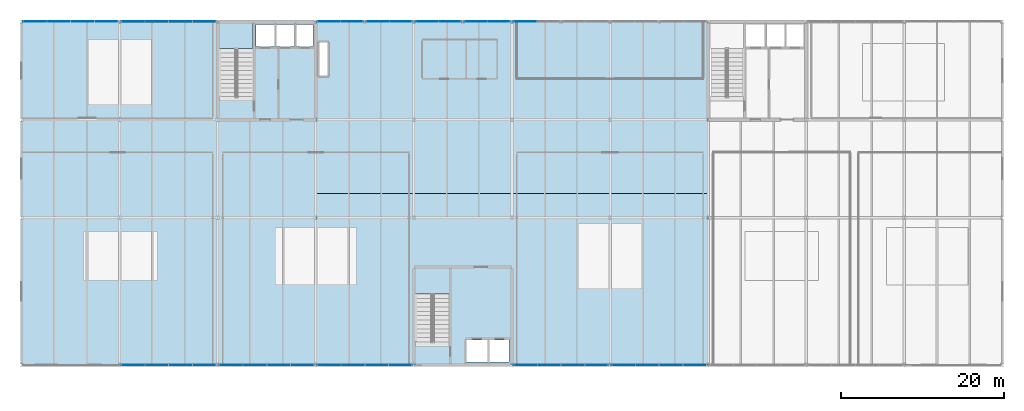
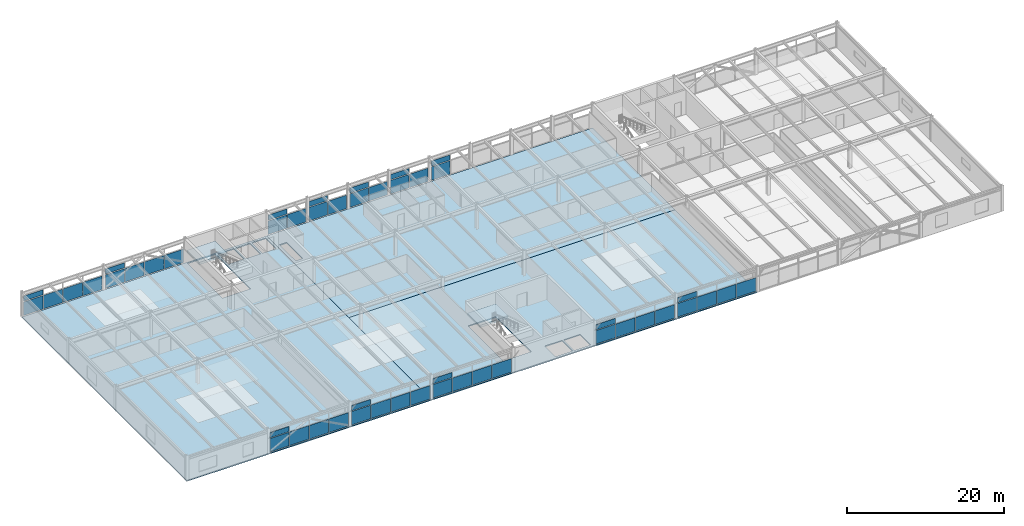
# One storey, part 42 of 51: 49 plates, 5 slabs, 14 elements without a shape of their own.
"""IFC4 building model written with IfcOpenShell, lengths in metres."""

from ifc_helpers import new_model, si_unit, direction, frame, origin, origin_2d, place, context, subcontext, project, spatial, polyline, rectangle, outline, extrude, material, layer, layer_set, type_object, element, aggregate, save


model = new_model("IFC4")

# Units and contexts
model_context = context("Model", 3, precision=1e-05, world=origin(), true_north=direction((0.0, 1.0)))
body_context = subcontext(model_context, "Body", "Model", "MODEL_VIEW")
ifc_project = project(units=[si_unit("LENGTHUNIT", "METRE"), si_unit("AREAUNIT", "SQUARE_METRE"), si_unit("VOLUMEUNIT", "CUBIC_METRE"), si_unit("PLANEANGLEUNIT", "RADIAN"), si_unit("MASSUNIT", "GRAM", prefix="KILO")], contexts=[model_context])

# Site, building, storey
site_placement = place(None, origin())
site = spatial("IfcSite", under=ifc_project, at=site_placement, CompositionType="ELEMENT")
building_placement = place(site_placement, origin())
building = spatial("IfcBuilding", under=site, at=building_placement, Name="Girod Span Mobility Hub", CompositionType="ELEMENT")
storey_placement = place(building_placement, frame((0.0, 0.0, 41.60009765625)))
storey = spatial("IfcBuildingStorey", under=building, at=storey_placement, Name="L10", CompositionType="ELEMENT", Elevation=41.60009765625)

# Curtain wall, plate
ifc_material_1 = material(Name="Thermally Broken Anodised Aluminium", Category="aluminium")
curtain_wall_type_1 = type_object("IfcCurtainWallType", Name="CW-561X328", PredefinedType="USERDEFINED", material=ifc_material_1)
curtain_wall_1_placement = place(storey_placement, origin())
curtain_wall_1 = element("IfcCurtainWall", 1, at=curtain_wall_1_placement, inside=storey, type_object=curtain_wall_type_1, Name="Unitised Curtain Wall CW-L10-N06W L10", ObjectType="UNITISED CURTAIN WALL", PredefinedType="USERDEFINED")
ifc_material_2 = material(Name="Double Low-E Insulated Glazing", Category="glass")
ifc_layer_1 = layer(ifc_material_2, 0.048095703125)
ifc_layer_set_1 = layer_set([ifc_layer_1], Name="Double Low-E Insulated Glazing")
plate_type_1 = type_object("IfcPlateType", Name="PLT-SPN-2734X839X48", PredefinedType="CURTAIN_PANEL", material=ifc_layer_set_1)
plate_1_placement = place(storey_placement, frame((61.599365234375, 69.0, 2.3623046875), z_axis=(0.0, 0.0, 1.0), x_axis=(1.0, 0.0, 0.0)))
plate_1 = element("IfcPlate", 2, at=plate_1_placement, type_object=plate_type_1, Name="Spandrel Glazing Panel CW-L10-N06W-S1", PredefinedType="CURTAIN_PANEL", context=body_context, shape_type="SweptSolid", body=[
    extrude(rectangle(XDim=2.73974609375, YDim=0.048095703125, at=origin_2d()), origin(), (0.0, 0.0, 1.0), 0.798583984375),
])

curtain_wall_2_placement = place(storey_placement, origin())
curtain_wall_2 = element("IfcCurtainWall", 3, at=curtain_wall_2_placement, inside=storey, type_object=curtain_wall_type_1, Name="Unitised Curtain Wall CW-L10-N06E L10", ObjectType="UNITISED CURTAIN WALL", PredefinedType="USERDEFINED")
plate_2_placement = place(storey_placement, frame((67.596923828125, 69.0, 2.3623046875), z_axis=(0.0, 0.0, 1.0), x_axis=(1.0, 0.0, 0.0)))
plate_2 = element("IfcPlate", 4, at=plate_2_placement, type_object=plate_type_1, Name="Spandrel Glazing Panel CW-L10-N06E-S1", PredefinedType="CURTAIN_PANEL", context=body_context, shape_type="SweptSolid", body=[
    extrude(rectangle(XDim=2.73974609375, YDim=0.048095703125, at=origin_2d()), origin(), (0.0, 0.0, 1.0), 0.798583984375),
])

curtain_wall_3_placement = place(storey_placement, origin())
curtain_wall_3 = element("IfcCurtainWall", 5, at=curtain_wall_3_placement, inside=storey, type_object=curtain_wall_type_1, Name="Unitised Curtain Wall CW-L10-N07W L10", ObjectType="UNITISED CURTAIN WALL", PredefinedType="USERDEFINED")
plate_3_placement = place(storey_placement, frame((73.599365234375, 69.0, 2.3623046875), z_axis=(0.0, 0.0, 1.0), x_axis=(1.0, 0.0, 0.0)))
plate_3 = element("IfcPlate", 6, at=plate_3_placement, type_object=plate_type_1, Name="Spandrel Glazing Panel CW-L10-N07W-S1", PredefinedType="CURTAIN_PANEL", context=body_context, shape_type="SweptSolid", body=[
    extrude(rectangle(XDim=2.73974609375, YDim=0.048095703125, at=origin_2d()), origin(), (0.0, 0.0, 1.0), 0.798583984375),
])

curtain_wall_4_placement = place(storey_placement, origin())
curtain_wall_4 = element("IfcCurtainWall", 7, at=curtain_wall_4_placement, inside=storey, type_object=curtain_wall_type_1, Name="Unitised Curtain Wall CW-L10-N07E L10", ObjectType="UNITISED CURTAIN WALL", PredefinedType="USERDEFINED")
plate_4_placement = place(storey_placement, frame((79.596923828125, 69.0, 2.3623046875), z_axis=(0.0, 0.0, 1.0), x_axis=(1.0, 0.0, 0.0)))
plate_4 = element("IfcPlate", 8, at=plate_4_placement, type_object=plate_type_1, Name="Spandrel Glazing Panel CW-L10-N07E-S1", PredefinedType="CURTAIN_PANEL", context=body_context, shape_type="SweptSolid", body=[
    extrude(rectangle(XDim=2.73974609375, YDim=0.048095703125, at=origin_2d()), origin(), (0.0, 0.0, 1.0), 0.798583984375),
])

curtain_wall_5_placement = place(storey_placement, origin())
curtain_wall_5 = element("IfcCurtainWall", 9, at=curtain_wall_5_placement, inside=storey, type_object=curtain_wall_type_1, Name="Unitised Curtain Wall CW-L10-N08W L10", ObjectType="UNITISED CURTAIN WALL", PredefinedType="USERDEFINED")
plate_5_placement = place(storey_placement, frame((85.599365234375, 69.0, 2.3623046875), z_axis=(0.0, 0.0, 1.0), x_axis=(1.0, 0.0, 0.0)))
plate_5 = element("IfcPlate", 10, at=plate_5_placement, type_object=plate_type_1, Name="Spandrel Glazing Panel CW-L10-N08W-S1", PredefinedType="CURTAIN_PANEL", context=body_context, shape_type="SweptSolid", body=[
    extrude(rectangle(XDim=2.73974609375, YDim=0.048095703125, at=origin_2d()), origin(), (0.0, 0.0, 1.0), 0.798583984375),
])

ifc_material_3 = material(Name="Thermally Broken Anodised Aluminium", Category="aluminium")
curtain_wall_type_2 = type_object("IfcCurtainWallType", Name="CW-1161X328", PredefinedType="USERDEFINED", material=ifc_material_3)
curtain_wall_6_placement = place(storey_placement, origin())
curtain_wall_6 = element("IfcCurtainWall", 11, at=curtain_wall_6_placement, inside=storey, type_object=curtain_wall_type_2, Name="Unitised Curtain Wall CW-L10-N04 L10", ObjectType="UNITISED CURTAIN WALL", PredefinedType="USERDEFINED")
ifc_material_4 = material(Name="Double Low-E Insulated Glazing", Category="glass")
ifc_layer_2 = layer(ifc_material_4, 0.048095703125)
ifc_layer_set_2 = layer_set([ifc_layer_2], Name="Double Low-E Insulated Glazing")
plate_type_2 = type_object("IfcPlateType", Name="PLT-SPN-2832X839X48", PredefinedType="CURTAIN_PANEL", material=ifc_layer_set_2)
plate_6_placement = place(storey_placement, frame((37.64599609375, 69.0, 2.3623046875), z_axis=(0.0, 0.0, 1.0), x_axis=(1.0, 0.0, 0.0)))
plate_6 = element("IfcPlate", 12, at=plate_6_placement, type_object=plate_type_2, Name="Spandrel Glazing Panel CW-L10-N04-S1", PredefinedType="CURTAIN_PANEL", context=body_context, shape_type="SweptSolid", body=[
    extrude(rectangle(XDim=2.837890625, YDim=0.048095703125, at=origin_2d()), origin(), (0.0, 0.0, 1.0), 0.798583984375),
])

curtain_wall_7_placement = place(storey_placement, origin())
curtain_wall_7 = element("IfcCurtainWall", 13, at=curtain_wall_7_placement, inside=storey, type_object=curtain_wall_type_2, Name="Unitised Curtain Wall CW-L10-S04 L10", ObjectType="UNITISED CURTAIN WALL", PredefinedType="USERDEFINED")
ifc_material_5 = material(Name="Double Low-E Insulated Glazing", Category="glass")
ifc_layer_3 = layer(ifc_material_5, 0.048095703125)
ifc_layer_set_3 = layer_set([ifc_layer_3], Name="Double Low-E Insulated Glazing")
plate_type_3 = type_object("IfcPlateType", Name="PLT-SPN-2833X839X48", PredefinedType="CURTAIN_PANEL", material=ifc_layer_set_3)
plate_7_placement = place(storey_placement, frame((37.646240234375, 27.0, 2.3623046875), z_axis=(0.0, 0.0, 1.0), x_axis=(1.0, 0.0, 0.0)))
plate_7 = element("IfcPlate", 14, at=plate_7_placement, type_object=plate_type_3, Name="Spandrel Glazing Panel CW-L10-S04-S1", PredefinedType="CURTAIN_PANEL", context=body_context, shape_type="SweptSolid", body=[
    extrude(rectangle(XDim=2.83837890625, YDim=0.048095703125, at=origin_2d()), origin(), (0.0, 0.0, 1.0), 0.798583984375),
])

curtain_wall_8_placement = place(storey_placement, origin())
curtain_wall_8 = element("IfcCurtainWall", 15, at=curtain_wall_8_placement, inside=storey, type_object=curtain_wall_type_2, Name="Unitised Curtain Wall CW-L10-S05 L10", ObjectType="UNITISED CURTAIN WALL", PredefinedType="USERDEFINED")
plate_8_placement = place(storey_placement, frame((49.646240234375, 27.0, 2.3623046875), z_axis=(0.0, 0.0, 1.0), x_axis=(1.0, 0.0, 0.0)))
plate_8 = element("IfcPlate", 16, at=plate_8_placement, type_object=plate_type_3, Name="Spandrel Glazing Panel CW-L10-S05-S1", PredefinedType="CURTAIN_PANEL", context=body_context, shape_type="SweptSolid", body=[
    extrude(rectangle(XDim=2.83837890625, YDim=0.048095703125, at=origin_2d()), origin(), (0.0, 0.0, 1.0), 0.798583984375),
])

curtain_wall_9_placement = place(storey_placement, origin())
curtain_wall_9 = element("IfcCurtainWall", 17, at=curtain_wall_9_placement, inside=storey, type_object=curtain_wall_type_2, Name="Unitised Curtain Wall CW-L10-S06 L10", ObjectType="UNITISED CURTAIN WALL", PredefinedType="USERDEFINED")
plate_9_placement = place(storey_placement, frame((61.646240234375, 27.0, 2.3623046875), z_axis=(0.0, 0.0, 1.0), x_axis=(1.0, 0.0, 0.0)))
plate_9 = element("IfcPlate", 18, at=plate_9_placement, type_object=plate_type_3, Name="Spandrel Glazing Panel CW-L10-S06-S1", PredefinedType="CURTAIN_PANEL", context=body_context, shape_type="SweptSolid", body=[
    extrude(rectangle(XDim=2.83837890625, YDim=0.048095703125, at=origin_2d()), origin(), (0.0, 0.0, 1.0), 0.798583984375),
])

curtain_wall_10_placement = place(storey_placement, origin())
curtain_wall_10 = element("IfcCurtainWall", 19, at=curtain_wall_10_placement, inside=storey, type_object=curtain_wall_type_2, Name="Unitised Curtain Wall CW-L10-S08 L10", ObjectType="UNITISED CURTAIN WALL", PredefinedType="USERDEFINED")
plate_10_placement = place(storey_placement, frame((85.646240234375, 27.0, 2.3623046875), z_axis=(0.0, 0.0, 1.0), x_axis=(1.0, 0.0, 0.0)))
plate_10 = element("IfcPlate", 20, at=plate_10_placement, type_object=plate_type_3, Name="Spandrel Glazing Panel CW-L10-S08-S1", PredefinedType="CURTAIN_PANEL", context=body_context, shape_type="SweptSolid", body=[
    extrude(rectangle(XDim=2.83837890625, YDim=0.048095703125, at=origin_2d()), origin(), (0.0, 0.0, 1.0), 0.798583984375),
])

curtain_wall_11_placement = place(storey_placement, origin())
curtain_wall_11 = element("IfcCurtainWall", 21, at=curtain_wall_11_placement, inside=storey, type_object=curtain_wall_type_2, Name="Unitised Curtain Wall CW-L10-S09 L10", ObjectType="UNITISED CURTAIN WALL", PredefinedType="USERDEFINED")
plate_11_placement = place(storey_placement, frame((97.646240234375, 27.0, 2.3623046875), z_axis=(0.0, 0.0, 1.0), x_axis=(1.0, 0.0, 0.0)))
plate_11 = element("IfcPlate", 22, at=plate_11_placement, type_object=plate_type_3, Name="Spandrel Glazing Panel CW-L10-S09-S1", PredefinedType="CURTAIN_PANEL", context=body_context, shape_type="SweptSolid", body=[
    extrude(rectangle(XDim=2.83837890625, YDim=0.048095703125, at=origin_2d()), origin(), (0.0, 0.0, 1.0), 0.798583984375),
])

curtain_wall_12_placement = place(storey_placement, origin())
curtain_wall_12 = element("IfcCurtainWall", 23, at=curtain_wall_12_placement, inside=storey, type_object=curtain_wall_type_2, Name="Unitised Curtain Wall CW-L10-N03 L10", ObjectType="UNITISED CURTAIN WALL", PredefinedType="USERDEFINED")
plate_12_placement = place(storey_placement, frame((25.646240234375, 69.0, 2.3623046875), z_axis=(0.0, 0.0, 1.0), x_axis=(1.0, 0.0, 0.0)))
plate_12 = element("IfcPlate", 24, at=plate_12_placement, type_object=plate_type_3, Name="Spandrel Glazing Panel CW-L10-N03-S1", PredefinedType="CURTAIN_PANEL", context=body_context, shape_type="SweptSolid", body=[
    extrude(rectangle(XDim=2.83837890625, YDim=0.048095703125, at=origin_2d()), origin(), (0.0, 0.0, 1.0), 0.798583984375),
])

# Plate
ifc_material_6 = material(Name="Double Low-E Insulated Glazing", Category="glass")
ifc_layer_4 = layer(ifc_material_6, 0.035888671875)
ifc_layer_set_4 = layer_set([ifc_layer_4], Name="Double Low-E Insulated Glazing")
plate_type_4 = type_object("IfcPlateType", Name="PLT-VIS-2734X2362X36", PredefinedType="CURTAIN_PANEL", material=ifc_layer_set_4)
plate_13_placement = place(storey_placement, frame((61.599365234375, 69.0, 0.14013671875), z_axis=(0.0, 0.0, 1.0), x_axis=(1.0, 0.0, 0.0)))
plate_13 = element("IfcPlate", 25, at=plate_13_placement, type_object=plate_type_4, Name="Vision Glazing Panel CW-L10-N06W-V1", PredefinedType="CURTAIN_PANEL", context=body_context, shape_type="SweptSolid", body=[
    extrude(rectangle(XDim=2.73974609375, YDim=0.035888671875, at=origin_2d()), origin(), (0.0, 0.0, 1.0), 2.102294921875),
])

plate_14_placement = place(storey_placement, frame((64.403076171875, 69.0, 0.14013671875), z_axis=(0.0, 0.0, 1.0), x_axis=(1.0, 0.0, 0.0)))
plate_14 = element("IfcPlate", 26, at=plate_14_placement, type_object=plate_type_4, Name="Vision Glazing Panel CW-L10-N06W-V2", PredefinedType="CURTAIN_PANEL", context=body_context, shape_type="SweptSolid", body=[
    extrude(rectangle(XDim=2.73974609375, YDim=0.035888671875, at=origin_2d()), origin(), (0.0, 0.0, 1.0), 2.102294921875),
])

aggregate(curtain_wall_1, [plate_13, plate_1, plate_14])

plate_15_placement = place(storey_placement, frame((67.596923828125, 69.0, 0.14013671875), z_axis=(0.0, 0.0, 1.0), x_axis=(1.0, 0.0, 0.0)))
plate_15 = element("IfcPlate", 27, at=plate_15_placement, type_object=plate_type_4, Name="Vision Glazing Panel CW-L10-N06E-V1", PredefinedType="CURTAIN_PANEL", context=body_context, shape_type="SweptSolid", body=[
    extrude(rectangle(XDim=2.73974609375, YDim=0.035888671875, at=origin_2d()), origin(), (0.0, 0.0, 1.0), 2.102294921875),
])

plate_16_placement = place(storey_placement, frame((70.400634765625, 69.0, 0.14013671875), z_axis=(0.0, 0.0, 1.0), x_axis=(1.0, 0.0, 0.0)))
plate_16 = element("IfcPlate", 28, at=plate_16_placement, type_object=plate_type_4, Name="Vision Glazing Panel CW-L10-N06E-V2", PredefinedType="CURTAIN_PANEL", context=body_context, shape_type="SweptSolid", body=[
    extrude(rectangle(XDim=2.73974609375, YDim=0.035888671875, at=origin_2d()), origin(), (0.0, 0.0, 1.0), 2.102294921875),
])

aggregate(curtain_wall_2, [plate_15, plate_2, plate_16])

plate_17_placement = place(storey_placement, frame((73.599365234375, 69.0, 0.14013671875), z_axis=(0.0, 0.0, 1.0), x_axis=(1.0, 0.0, 0.0)))
plate_17 = element("IfcPlate", 29, at=plate_17_placement, type_object=plate_type_4, Name="Vision Glazing Panel CW-L10-N07W-V1", PredefinedType="CURTAIN_PANEL", context=body_context, shape_type="SweptSolid", body=[
    extrude(rectangle(XDim=2.73974609375, YDim=0.035888671875, at=origin_2d()), origin(), (0.0, 0.0, 1.0), 2.102294921875),
])

plate_18_placement = place(storey_placement, frame((76.403076171875, 69.0, 0.14013671875), z_axis=(0.0, 0.0, 1.0), x_axis=(1.0, 0.0, 0.0)))
plate_18 = element("IfcPlate", 30, at=plate_18_placement, type_object=plate_type_4, Name="Vision Glazing Panel CW-L10-N07W-V2", PredefinedType="CURTAIN_PANEL", context=body_context, shape_type="SweptSolid", body=[
    extrude(rectangle(XDim=2.73974609375, YDim=0.035888671875, at=origin_2d()), origin(), (0.0, 0.0, 1.0), 2.102294921875),
])

aggregate(curtain_wall_3, [plate_17, plate_3, plate_18])

plate_19_placement = place(storey_placement, frame((79.596923828125, 69.0, 0.14013671875), z_axis=(0.0, 0.0, 1.0), x_axis=(1.0, 0.0, 0.0)))
plate_19 = element("IfcPlate", 31, at=plate_19_placement, type_object=plate_type_4, Name="Vision Glazing Panel CW-L10-N07E-V1", PredefinedType="CURTAIN_PANEL", context=body_context, shape_type="SweptSolid", body=[
    extrude(rectangle(XDim=2.73974609375, YDim=0.035888671875, at=origin_2d()), origin(), (0.0, 0.0, 1.0), 2.102294921875),
])

plate_20_placement = place(storey_placement, frame((82.400634765625, 69.0, 0.14013671875), z_axis=(0.0, 0.0, 1.0), x_axis=(1.0, 0.0, 0.0)))
plate_20 = element("IfcPlate", 32, at=plate_20_placement, type_object=plate_type_4, Name="Vision Glazing Panel CW-L10-N07E-V2", PredefinedType="CURTAIN_PANEL", context=body_context, shape_type="SweptSolid", body=[
    extrude(rectangle(XDim=2.73974609375, YDim=0.035888671875, at=origin_2d()), origin(), (0.0, 0.0, 1.0), 2.102294921875),
])

aggregate(curtain_wall_4, [plate_19, plate_4, plate_20])

plate_21_placement = place(storey_placement, frame((85.599365234375, 69.0, 0.14013671875), z_axis=(0.0, 0.0, 1.0), x_axis=(1.0, 0.0, 0.0)))
plate_21 = element("IfcPlate", 33, at=plate_21_placement, type_object=plate_type_4, Name="Vision Glazing Panel CW-L10-N08W-V1", PredefinedType="CURTAIN_PANEL", context=body_context, shape_type="SweptSolid", body=[
    extrude(rectangle(XDim=2.73974609375, YDim=0.035888671875, at=origin_2d()), origin(), (0.0, 0.0, 1.0), 2.102294921875),
])

aggregate(curtain_wall_5, [plate_21, plate_5])

ifc_material_7 = material(Name="Double Low-E Insulated Glazing", Category="glass")
ifc_layer_5 = layer(ifc_material_7, 0.035888671875)
ifc_layer_set_5 = layer_set([ifc_layer_5], Name="Double Low-E Insulated Glazing")
plate_type_5 = type_object("IfcPlateType", Name="PLT-VIS-2832X2362X36", PredefinedType="CURTAIN_PANEL", material=ifc_layer_set_5)
plate_22_placement = place(storey_placement, frame((37.64599609375, 69.0, 0.14013671875), z_axis=(0.0, 0.0, 1.0), x_axis=(1.0, 0.0, 0.0)))
plate_22 = element("IfcPlate", 34, at=plate_22_placement, type_object=plate_type_5, Name="Vision Glazing Panel CW-L10-N04-V1", PredefinedType="CURTAIN_PANEL", context=body_context, shape_type="SweptSolid", body=[
    extrude(rectangle(XDim=2.837890625, YDim=0.035888671875, at=origin_2d()), origin(), (0.0, 0.0, 1.0), 2.102294921875),
])

plate_23_placement = place(storey_placement, frame((40.5478515625, 69.0, 0.14013671875), z_axis=(0.0, 0.0, 1.0), x_axis=(1.0, 0.0, 0.0)))
plate_23 = element("IfcPlate", 35, at=plate_23_placement, type_object=plate_type_5, Name="Vision Glazing Panel CW-L10-N04-V2", PredefinedType="CURTAIN_PANEL", context=body_context, shape_type="SweptSolid", body=[
    extrude(rectangle(XDim=2.837890625, YDim=0.035888671875, at=origin_2d()), origin(), (0.0, 0.0, 1.0), 2.102294921875),
])

plate_24_placement = place(storey_placement, frame((43.44970703125, 69.0, 0.14013671875), z_axis=(0.0, 0.0, 1.0), x_axis=(1.0, 0.0, 0.0)))
plate_24 = element("IfcPlate", 36, at=plate_24_placement, type_object=plate_type_5, Name="Vision Glazing Panel CW-L10-N04-V3", PredefinedType="CURTAIN_PANEL", context=body_context, shape_type="SweptSolid", body=[
    extrude(rectangle(XDim=2.837890625, YDim=0.035888671875, at=origin_2d()), origin(), (0.0, 0.0, 1.0), 2.102294921875),
])

plate_25_placement = place(storey_placement, frame((46.3515625, 69.0, 0.14013671875), z_axis=(0.0, 0.0, 1.0), x_axis=(1.0, 0.0, 0.0)))
plate_25 = element("IfcPlate", 37, at=plate_25_placement, type_object=plate_type_5, Name="Vision Glazing Panel CW-L10-N04-V4", PredefinedType="CURTAIN_PANEL", context=body_context, shape_type="SweptSolid", body=[
    extrude(rectangle(XDim=2.837890625, YDim=0.035888671875, at=origin_2d()), origin(), (0.0, 0.0, 1.0), 2.102294921875),
])

aggregate(curtain_wall_6, [plate_22, plate_6, plate_23, plate_24, plate_25])

ifc_material_8 = material(Name="Double Low-E Insulated Glazing", Category="glass")
ifc_layer_6 = layer(ifc_material_8, 0.035888671875)
ifc_layer_set_6 = layer_set([ifc_layer_6], Name="Double Low-E Insulated Glazing")
plate_type_6 = type_object("IfcPlateType", Name="PLT-VIS-2833X2362X36", PredefinedType="CURTAIN_PANEL", material=ifc_layer_set_6)
plate_26_placement = place(storey_placement, frame((37.646240234375, 27.0, 0.14013671875), z_axis=(0.0, 0.0, 1.0), x_axis=(1.0, 0.0, 0.0)))
plate_26 = element("IfcPlate", 38, at=plate_26_placement, type_object=plate_type_6, Name="Vision Glazing Panel CW-L10-S04-V1", PredefinedType="CURTAIN_PANEL", context=body_context, shape_type="SweptSolid", body=[
    extrude(rectangle(XDim=2.83837890625, YDim=0.035888671875, at=origin_2d()), origin(), (0.0, 0.0, 1.0), 2.102294921875),
])

plate_27_placement = place(storey_placement, frame((40.548828125, 27.0, 0.14013671875), z_axis=(0.0, 0.0, 1.0), x_axis=(1.0, 0.0, 0.0)))
plate_27 = element("IfcPlate", 39, at=plate_27_placement, type_object=plate_type_6, Name="Vision Glazing Panel CW-L10-S04-V2", PredefinedType="CURTAIN_PANEL", context=body_context, shape_type="SweptSolid", body=[
    extrude(rectangle(XDim=2.83837890625, YDim=0.035888671875, at=origin_2d()), origin(), (0.0, 0.0, 1.0), 2.102294921875),
])

plate_28_placement = place(storey_placement, frame((43.451171875, 27.0, 0.14013671875), z_axis=(0.0, 0.0, 1.0), x_axis=(1.0, 0.0, 0.0)))
plate_28 = element("IfcPlate", 40, at=plate_28_placement, type_object=plate_type_6, Name="Vision Glazing Panel CW-L10-S04-V3", PredefinedType="CURTAIN_PANEL", context=body_context, shape_type="SweptSolid", body=[
    extrude(rectangle(XDim=2.83837890625, YDim=0.035888671875, at=origin_2d()), origin(), (0.0, 0.0, 1.0), 2.102294921875),
])

plate_29_placement = place(storey_placement, frame((46.353759765625, 27.0, 0.14013671875), z_axis=(0.0, 0.0, 1.0), x_axis=(1.0, 0.0, 0.0)))
plate_29 = element("IfcPlate", 41, at=plate_29_placement, type_object=plate_type_6, Name="Vision Glazing Panel CW-L10-S04-V4", PredefinedType="CURTAIN_PANEL", context=body_context, shape_type="SweptSolid", body=[
    extrude(rectangle(XDim=2.83837890625, YDim=0.035888671875, at=origin_2d()), origin(), (0.0, 0.0, 1.0), 2.102294921875),
])

aggregate(curtain_wall_7, [plate_26, plate_7, plate_27, plate_28, plate_29])

plate_30_placement = place(storey_placement, frame((49.646240234375, 27.0, 0.14013671875), z_axis=(0.0, 0.0, 1.0), x_axis=(1.0, 0.0, 0.0)))
plate_30 = element("IfcPlate", 42, at=plate_30_placement, type_object=plate_type_6, Name="Vision Glazing Panel CW-L10-S05-V1", PredefinedType="CURTAIN_PANEL", context=body_context, shape_type="SweptSolid", body=[
    extrude(rectangle(XDim=2.83837890625, YDim=0.035888671875, at=origin_2d()), origin(), (0.0, 0.0, 1.0), 2.102294921875),
])

plate_31_placement = place(storey_placement, frame((52.548828125, 27.0, 0.14013671875), z_axis=(0.0, 0.0, 1.0), x_axis=(1.0, 0.0, 0.0)))
plate_31 = element("IfcPlate", 43, at=plate_31_placement, type_object=plate_type_6, Name="Vision Glazing Panel CW-L10-S05-V2", PredefinedType="CURTAIN_PANEL", context=body_context, shape_type="SweptSolid", body=[
    extrude(rectangle(XDim=2.83837890625, YDim=0.035888671875, at=origin_2d()), origin(), (0.0, 0.0, 1.0), 2.102294921875),
])

plate_32_placement = place(storey_placement, frame((55.451171875, 27.0, 0.14013671875), z_axis=(0.0, 0.0, 1.0), x_axis=(1.0, 0.0, 0.0)))
plate_32 = element("IfcPlate", 44, at=plate_32_placement, type_object=plate_type_6, Name="Vision Glazing Panel CW-L10-S05-V3", PredefinedType="CURTAIN_PANEL", context=body_context, shape_type="SweptSolid", body=[
    extrude(rectangle(XDim=2.83837890625, YDim=0.035888671875, at=origin_2d()), origin(), (0.0, 0.0, 1.0), 2.102294921875),
])

plate_33_placement = place(storey_placement, frame((58.353759765625, 27.0, 0.14013671875), z_axis=(0.0, 0.0, 1.0), x_axis=(1.0, 0.0, 0.0)))
plate_33 = element("IfcPlate", 45, at=plate_33_placement, type_object=plate_type_6, Name="Vision Glazing Panel CW-L10-S05-V4", PredefinedType="CURTAIN_PANEL", context=body_context, shape_type="SweptSolid", body=[
    extrude(rectangle(XDim=2.83837890625, YDim=0.035888671875, at=origin_2d()), origin(), (0.0, 0.0, 1.0), 2.102294921875),
])

aggregate(curtain_wall_8, [plate_30, plate_8, plate_31, plate_32, plate_33])

plate_34_placement = place(storey_placement, frame((61.646240234375, 27.0, 0.14013671875), z_axis=(0.0, 0.0, 1.0), x_axis=(1.0, 0.0, 0.0)))
plate_34 = element("IfcPlate", 46, at=plate_34_placement, type_object=plate_type_6, Name="Vision Glazing Panel CW-L10-S06-V1", PredefinedType="CURTAIN_PANEL", context=body_context, shape_type="SweptSolid", body=[
    extrude(rectangle(XDim=2.83837890625, YDim=0.035888671875, at=origin_2d()), origin(), (0.0, 0.0, 1.0), 2.102294921875),
])

plate_35_placement = place(storey_placement, frame((64.548828125, 27.0, 0.14013671875), z_axis=(0.0, 0.0, 1.0), x_axis=(1.0, 0.0, 0.0)))
plate_35 = element("IfcPlate", 47, at=plate_35_placement, type_object=plate_type_6, Name="Vision Glazing Panel CW-L10-S06-V2", PredefinedType="CURTAIN_PANEL", context=body_context, shape_type="SweptSolid", body=[
    extrude(rectangle(XDim=2.83837890625, YDim=0.035888671875, at=origin_2d()), origin(), (0.0, 0.0, 1.0), 2.102294921875),
])

plate_36_placement = place(storey_placement, frame((67.451171875, 27.0, 0.14013671875), z_axis=(0.0, 0.0, 1.0), x_axis=(1.0, 0.0, 0.0)))
plate_36 = element("IfcPlate", 48, at=plate_36_placement, type_object=plate_type_6, Name="Vision Glazing Panel CW-L10-S06-V3", PredefinedType="CURTAIN_PANEL", context=body_context, shape_type="SweptSolid", body=[
    extrude(rectangle(XDim=2.83837890625, YDim=0.035888671875, at=origin_2d()), origin(), (0.0, 0.0, 1.0), 2.102294921875),
])

plate_37_placement = place(storey_placement, frame((70.353759765625, 27.0, 0.14013671875), z_axis=(0.0, 0.0, 1.0), x_axis=(1.0, 0.0, 0.0)))
plate_37 = element("IfcPlate", 49, at=plate_37_placement, type_object=plate_type_6, Name="Vision Glazing Panel CW-L10-S06-V4", PredefinedType="CURTAIN_PANEL", context=body_context, shape_type="SweptSolid", body=[
    extrude(rectangle(XDim=2.83837890625, YDim=0.035888671875, at=origin_2d()), origin(), (0.0, 0.0, 1.0), 2.102294921875),
])

aggregate(curtain_wall_9, [plate_34, plate_9, plate_35, plate_36, plate_37])

plate_38_placement = place(storey_placement, frame((85.646240234375, 27.0, 0.14013671875), z_axis=(0.0, 0.0, 1.0), x_axis=(1.0, 0.0, 0.0)))
plate_38 = element("IfcPlate", 50, at=plate_38_placement, type_object=plate_type_6, Name="Vision Glazing Panel CW-L10-S08-V1", PredefinedType="CURTAIN_PANEL", context=body_context, shape_type="SweptSolid", body=[
    extrude(rectangle(XDim=2.83837890625, YDim=0.035888671875, at=origin_2d()), origin(), (0.0, 0.0, 1.0), 2.102294921875),
])

plate_39_placement = place(storey_placement, frame((88.548828125, 27.0, 0.14013671875), z_axis=(0.0, 0.0, 1.0), x_axis=(1.0, 0.0, 0.0)))
plate_39 = element("IfcPlate", 51, at=plate_39_placement, type_object=plate_type_6, Name="Vision Glazing Panel CW-L10-S08-V2", PredefinedType="CURTAIN_PANEL", context=body_context, shape_type="SweptSolid", body=[
    extrude(rectangle(XDim=2.83837890625, YDim=0.035888671875, at=origin_2d()), origin(), (0.0, 0.0, 1.0), 2.102294921875),
])

plate_40_placement = place(storey_placement, frame((91.451171875, 27.0, 0.14013671875), z_axis=(0.0, 0.0, 1.0), x_axis=(1.0, 0.0, 0.0)))
plate_40 = element("IfcPlate", 52, at=plate_40_placement, type_object=plate_type_6, Name="Vision Glazing Panel CW-L10-S08-V3", PredefinedType="CURTAIN_PANEL", context=body_context, shape_type="SweptSolid", body=[
    extrude(rectangle(XDim=2.83837890625, YDim=0.035888671875, at=origin_2d()), origin(), (0.0, 0.0, 1.0), 2.102294921875),
])

plate_41_placement = place(storey_placement, frame((94.353759765625, 27.0, 0.14013671875), z_axis=(0.0, 0.0, 1.0), x_axis=(1.0, 0.0, 0.0)))
plate_41 = element("IfcPlate", 53, at=plate_41_placement, type_object=plate_type_6, Name="Vision Glazing Panel CW-L10-S08-V4", PredefinedType="CURTAIN_PANEL", context=body_context, shape_type="SweptSolid", body=[
    extrude(rectangle(XDim=2.83837890625, YDim=0.035888671875, at=origin_2d()), origin(), (0.0, 0.0, 1.0), 2.102294921875),
])

aggregate(curtain_wall_10, [plate_38, plate_10, plate_39, plate_40, plate_41])

plate_42_placement = place(storey_placement, frame((97.646240234375, 27.0, 0.14013671875), z_axis=(0.0, 0.0, 1.0), x_axis=(1.0, 0.0, 0.0)))
plate_42 = element("IfcPlate", 54, at=plate_42_placement, type_object=plate_type_6, Name="Vision Glazing Panel CW-L10-S09-V1", PredefinedType="CURTAIN_PANEL", context=body_context, shape_type="SweptSolid", body=[
    extrude(rectangle(XDim=2.83837890625, YDim=0.035888671875, at=origin_2d()), origin(), (0.0, 0.0, 1.0), 2.102294921875),
])

plate_43_placement = place(storey_placement, frame((100.548828125, 27.0, 0.14013671875), z_axis=(0.0, 0.0, 1.0), x_axis=(1.0, 0.0, 0.0)))
plate_43 = element("IfcPlate", 55, at=plate_43_placement, type_object=plate_type_6, Name="Vision Glazing Panel CW-L10-S09-V2", PredefinedType="CURTAIN_PANEL", context=body_context, shape_type="SweptSolid", body=[
    extrude(rectangle(XDim=2.83837890625, YDim=0.035888671875, at=origin_2d()), origin(), (0.0, 0.0, 1.0), 2.102294921875),
])

plate_44_placement = place(storey_placement, frame((103.451171875, 27.0, 0.14013671875), z_axis=(0.0, 0.0, 1.0), x_axis=(1.0, 0.0, 0.0)))
plate_44 = element("IfcPlate", 56, at=plate_44_placement, type_object=plate_type_6, Name="Vision Glazing Panel CW-L10-S09-V3", PredefinedType="CURTAIN_PANEL", context=body_context, shape_type="SweptSolid", body=[
    extrude(rectangle(XDim=2.83837890625, YDim=0.035888671875, at=origin_2d()), origin(), (0.0, 0.0, 1.0), 2.102294921875),
])

plate_45_placement = place(storey_placement, frame((106.353759765625, 27.0, 0.14013671875), z_axis=(0.0, 0.0, 1.0), x_axis=(1.0, 0.0, 0.0)))
plate_45 = element("IfcPlate", 57, at=plate_45_placement, type_object=plate_type_6, Name="Vision Glazing Panel CW-L10-S09-V4", PredefinedType="CURTAIN_PANEL", context=body_context, shape_type="SweptSolid", body=[
    extrude(rectangle(XDim=2.83837890625, YDim=0.035888671875, at=origin_2d()), origin(), (0.0, 0.0, 1.0), 2.102294921875),
])

aggregate(curtain_wall_11, [plate_42, plate_11, plate_43, plate_44, plate_45])

plate_46_placement = place(storey_placement, frame((25.646240234375, 69.0, 0.14013671875), z_axis=(0.0, 0.0, 1.0), x_axis=(1.0, 0.0, 0.0)))
plate_46 = element("IfcPlate", 58, at=plate_46_placement, type_object=plate_type_6, Name="Vision Glazing Panel CW-L10-N03-V1", PredefinedType="CURTAIN_PANEL", context=body_context, shape_type="SweptSolid", body=[
    extrude(rectangle(XDim=2.83837890625, YDim=0.035888671875, at=origin_2d()), origin(), (0.0, 0.0, 1.0), 2.102294921875),
])

plate_47_placement = place(storey_placement, frame((28.548828125, 69.0, 0.14013671875), z_axis=(0.0, 0.0, 1.0), x_axis=(1.0, 0.0, 0.0)))
plate_47 = element("IfcPlate", 59, at=plate_47_placement, type_object=plate_type_6, Name="Vision Glazing Panel CW-L10-N03-V2", PredefinedType="CURTAIN_PANEL", context=body_context, shape_type="SweptSolid", body=[
    extrude(rectangle(XDim=2.83837890625, YDim=0.035888671875, at=origin_2d()), origin(), (0.0, 0.0, 1.0), 2.102294921875),
])

plate_48_placement = place(storey_placement, frame((31.451171875, 69.0, 0.14013671875), z_axis=(0.0, 0.0, 1.0), x_axis=(1.0, 0.0, 0.0)))
plate_48 = element("IfcPlate", 60, at=plate_48_placement, type_object=plate_type_6, Name="Vision Glazing Panel CW-L10-N03-V3", PredefinedType="CURTAIN_PANEL", context=body_context, shape_type="SweptSolid", body=[
    extrude(rectangle(XDim=2.83837890625, YDim=0.035888671875, at=origin_2d()), origin(), (0.0, 0.0, 1.0), 2.102294921875),
])

plate_49_placement = place(storey_placement, frame((34.353759765625, 69.0, 0.14013671875), z_axis=(0.0, 0.0, 1.0), x_axis=(1.0, 0.0, 0.0)))
plate_49 = element("IfcPlate", 61, at=plate_49_placement, type_object=plate_type_6, Name="Vision Glazing Panel CW-L10-N03-V4", PredefinedType="CURTAIN_PANEL", context=body_context, shape_type="SweptSolid", body=[
    extrude(rectangle(XDim=2.83837890625, YDim=0.035888671875, at=origin_2d()), origin(), (0.0, 0.0, 1.0), 2.102294921875),
])

aggregate(curtain_wall_12, [plate_46, plate_12, plate_47, plate_48, plate_49])

# Slabs
ifc_material_9 = material(Name="Concrete C40/50", Category="concrete")
ifc_layer_7 = layer(ifc_material_9, 0.1650390625)
ifc_layer_set_7 = layer_set([ifc_layer_7], Name="Concrete C40/50")
slab_type_1 = type_object("IfcSlabType", Name="SL-FLR-165", PredefinedType="FLOOR", material=ifc_layer_set_7)
slab_1_placement = place(storey_placement, frame((0.0, 0.0, -0.1650390625)))
element("IfcSlab", 62, at=slab_1_placement, inside=storey, type_object=slab_type_1, Name="Floor Slab L10 Sector W", PredefinedType="FLOOR", context=body_context, shape_type="SweptSolid", body=[
    extrude(outline(polyline([(24.0, 69.0), (60.0, 69.0), (60.0, 27.0), (24.0, 27.0), (24.0, 69.0)]), holes=[polyline([(48.219970703125, 68.820068359375), (48.219970703125, 59.8349609375), (52.340087890625, 59.8349609375), (52.340087890625, 68.820068359375), (48.219970703125, 68.820068359375)]), polyline([(52.64990234375, 65.949951171875), (54.949951171875, 65.949951171875), (54.949951171875, 68.64990234375), (52.64990234375, 68.64990234375), (52.64990234375, 65.949951171875)]), polyline([(55.199951171875, 68.64990234375), (55.199951171875, 65.949951171875), (57.35009765625, 65.949951171875), (57.35009765625, 68.64990234375), (55.199951171875, 68.64990234375)]), polyline([(57.60009765625, 68.64990234375), (57.60009765625, 65.949951171875), (59.64990234375, 65.949951171875), (59.64990234375, 68.64990234375), (57.60009765625, 68.64990234375)])]), origin(), (0.0, 0.0, 1.0), 0.1650390625),
])
slab_2_placement = place(storey_placement, frame((0.0, 0.0, -0.1650390625)))
element("IfcSlab", 63, at=slab_2_placement, inside=storey, type_object=slab_type_1, Name="Floor Slab L10 Sector CS", PredefinedType="FLOOR", context=body_context, shape_type="SweptSolid", body=[
    extrude(outline(polyline([(60.0, 27.0), (60.0, 48.0), (108.0, 48.0), (108.0, 27.0), (60.0, 27.0)]), holes=[polyline([(72.219970703125, 29.8349609375), (76.340087890625, 29.8349609375), (76.340087890625, 38.820068359375), (72.219970703125, 38.820068359375), (72.219970703125, 29.8349609375)]), polyline([(78.449951171875, 27.35009765625), (81.0, 27.35009765625), (81.0, 30.050048828125), (78.449951171875, 30.050048828125), (78.449951171875, 27.35009765625)]), polyline([(81.25, 30.050048828125), (81.25, 27.35009765625), (83.64990234375, 27.35009765625), (83.64990234375, 30.050048828125), (81.25, 30.050048828125)])]), origin(), (0.0, 0.0, 1.0), 0.1650390625),
])
slab_3_placement = place(storey_placement, frame((0.0, 0.0, -0.1650390625)))
element("IfcSlab", 64, at=slab_3_placement, inside=storey, type_object=slab_type_1, Name="Floor Slab L10 Sector CN", PredefinedType="FLOOR", context=body_context, shape_type="SweptSolid", body=[
    extrude(outline(polyline([(108.0, 69.0), (108.0, 48.0), (60.0, 48.0), (60.0, 69.0), (108.0, 69.0)]), holes=[polyline([(60.449951171875, 66.449951171875), (60.449951171875, 62.35009765625), (61.47998046875, 62.35009765625), (61.47998046875, 66.449951171875), (60.449951171875, 66.449951171875)])]), origin(), (0.0, 0.0, 1.0), 0.1650390625),
])

# Stair, slab
ifc_material_10 = material(Name="Concrete C40/50", Category="concrete")
stair_type = type_object("IfcStairType", Name="STR-4000-W1860", PredefinedType="HALF_TURN_STAIR", material=ifc_material_10)
stair_1_placement = place(storey_placement, origin())
stair_1 = element("IfcStair", 65, at=stair_1_placement, inside=storey, type_object=stair_type, Name="Exit Stair ST-1 L10", PredefinedType="HALF_TURN_STAIR")
ifc_material_11 = material(Name="Concrete C40/50", Category="concrete")
ifc_layer_8 = layer(ifc_material_11, 0.35498046875)
ifc_layer_set_8 = layer_set([ifc_layer_8], Name="Concrete C40/50")
slab_type_2 = type_object("IfcSlabType", Name="SL-LND-355", PredefinedType="LANDING", material=ifc_layer_set_8)
slab_4_placement = place(storey_placement, frame((0.0, 0.0, 1.64501953125)))
slab_4 = element("IfcSlab", 66, at=slab_4_placement, type_object=slab_type_2, Name="Stair ST-1 Half-Landing L10", PredefinedType="LANDING", context=body_context, shape_type="SweptSolid", body=[
    extrude(outline(polyline([(52.3349609375, 65.68603515625), (52.3349609375, 68.8349609375), (48.1650390625, 68.8349609375), (48.1650390625, 65.68603515625), (52.3349609375, 65.68603515625)])), origin(), (0.0, 0.0, 1.0), 0.35498046875),
])
aggregate(stair_1, [slab_4])

stair_2_placement = place(storey_placement, origin())
stair_2 = element("IfcStair", 67, at=stair_2_placement, inside=storey, type_object=stair_type, Name="Exit Stair ST-3 L10", PredefinedType="HALF_TURN_STAIR")
slab_5_placement = place(storey_placement, frame((0.0, 0.0, 1.64501953125)))
slab_5 = element("IfcSlab", 68, at=slab_5_placement, type_object=slab_type_2, Name="Stair ST-3 Half-Landing L10", PredefinedType="LANDING", context=body_context, shape_type="SweptSolid", body=[
    extrude(outline(polyline([(76.3349609375, 35.68603515625), (76.3349609375, 38.844970703125), (72.155029296875, 38.844970703125), (72.155029296875, 35.68603515625), (76.3349609375, 35.68603515625)])), origin(), (0.0, 0.0, 1.0), 0.35498046875),
])
aggregate(stair_2, [slab_5])

save(model, "model.ifc")
